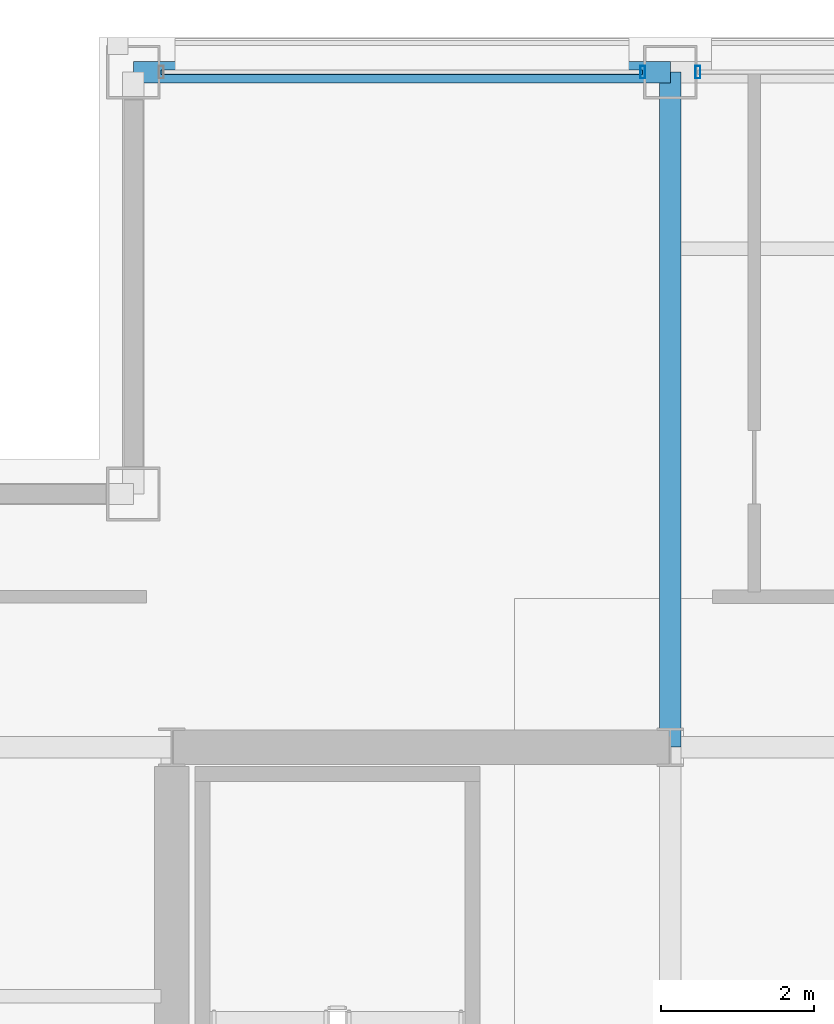
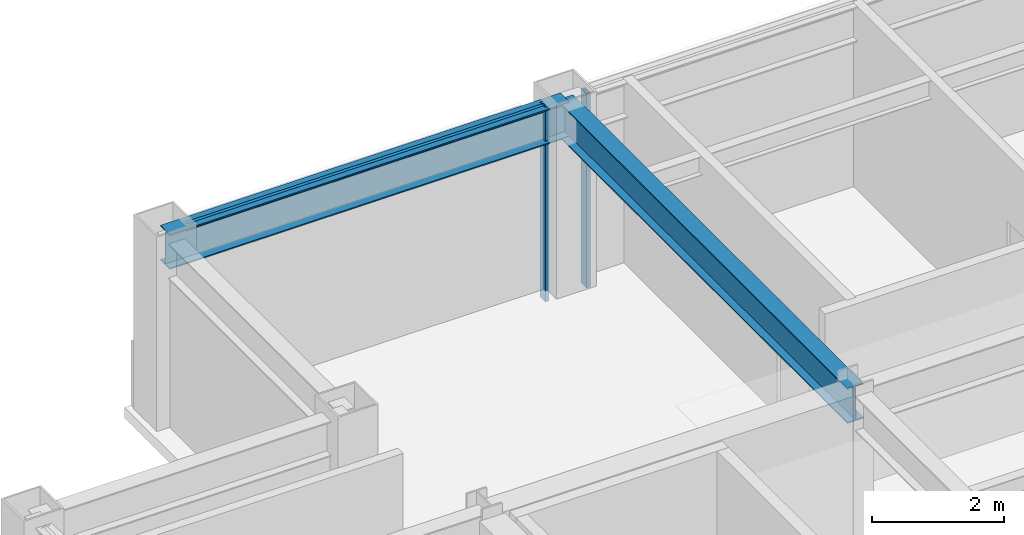
# One storey, part 20 of 30: 3 members, 2 beams, 2 elements without a shape of their own.
"""IFC4 building model written with IfcOpenShell, lengths in metres."""

from ifc_helpers import new_model, si_unit, direction, frame, origin, origin_2d, place, context, subcontext, project, spatial, hollow_rectangle, i_section, extrude, material, layer, layer_set, material_profile, profile_set, type_object, element, aggregate, save


model = new_model("IFC4")

# Units and contexts
model_context = context("Model", 3, precision=1e-05, world=origin(), true_north=direction((0.0, 1.0)))
body_context = subcontext(model_context, "Body", "Model", "MODEL_VIEW")
ifc_project = project(units=[si_unit("LENGTHUNIT", "METRE"), si_unit("AREAUNIT", "SQUARE_METRE"), si_unit("VOLUMEUNIT", "CUBIC_METRE"), si_unit("PLANEANGLEUNIT", "RADIAN"), si_unit("MASSUNIT", "GRAM", prefix="KILO")], contexts=[model_context])

# Site, building, storey
site_placement = place(None, origin())
site = spatial("IfcSite", under=ifc_project, at=site_placement, CompositionType="ELEMENT")
building_placement = place(site_placement, origin())
building = spatial("IfcBuilding", under=site, at=building_placement, Name="Brelmoor Portico Tower", CompositionType="ELEMENT")
storey_placement = place(building_placement, frame((0.0, 0.0, 198.300048828125)))
storey = spatial("IfcBuildingStorey", under=building, at=storey_placement, Name="L52", CompositionType="ELEMENT", Elevation=198.300048828125)

# Beams
ifc_material_1 = material(Name="Steel Q355B", Category="steel")
ifc_material_profile_1 = material_profile(ifc_material_1, i_section(OverallWidth=0.280029296875, OverallDepth=0.64990234375, WebThickness=0.012939453125, FlangeThickness=0.02197265625, at=origin_2d()), Name="HN 650x280x13x22")
ifc_profile_set_1 = profile_set([ifc_material_profile_1], Name="Steel Q355B")
beam_type_1 = type_object("IfcBeamType", Name="BM-PG-650", PredefinedType="BEAM", material=ifc_profile_set_1)
beam_1_placement = place(storey_placement, frame((-8.050048828125, 9.75, 3.074951171875), z_axis=(0.0, 1.0, 0.0), x_axis=(-1.0, 0.0, 0.0)))
element("IfcBeam", 1, at=beam_1_placement, inside=storey, type_object=beam_type_1, Name="L52 Primary Floor Girder PG-05", PredefinedType="BEAM", context=body_context, shape_type="SweptSolid", body=[
    extrude(i_section(OverallWidth=0.280029296875, OverallDepth=0.64990234375, WebThickness=0.012939453125, FlangeThickness=0.02197265625, at=origin_2d()), origin(), (0.0, 0.0, 1.0), 8.800048828125),
])
ifc_material_profile_2 = material_profile(ifc_material_1, i_section(OverallWidth=0.280029296875, OverallDepth=0.64990234375, WebThickness=0.012939453125, FlangeThickness=0.02197265625, at=origin_2d()), Name="HN 650x280x13x22")
ifc_profile_set_2 = profile_set([ifc_material_profile_2], Name="Steel Q355B")
beam_type_2 = type_object("IfcBeamType", Name="BM-SP-650", PredefinedType="SPANDREL", material=ifc_profile_set_2)
beam_2_placement = place(storey_placement, frame((-15.050048828125, 18.550048828125, 3.074951171875), z_axis=(1.0, 0.0, 0.0), x_axis=(0.0, 1.0, 0.0)))
element("IfcBeam", 2, at=beam_2_placement, inside=storey, type_object=beam_type_2, Name="L52 Perimeter Spandrel Beam SP-08", PredefinedType="SPANDREL", context=body_context, shape_type="SweptSolid", body=[
    extrude(i_section(OverallWidth=0.280029296875, OverallDepth=0.64990234375, WebThickness=0.012939453125, FlangeThickness=0.02197265625, at=origin_2d()), origin(), (0.0, 0.0, 1.0), 7.0),
])

# Curtain wall, member
ifc_material_2 = material(Name="Anodised Aluminium Alloy 6063-T6", Category="aluminium")
ifc_layer = layer(ifc_material_2, 0.179931640625)
ifc_layer_set = layer_set([ifc_layer], Name="Anodised Aluminium Alloy 6063-T6")
curtain_wall_type = type_object("IfcCurtainWallType", Name="CW-TOWER-Z3-XB", PredefinedType="NOTDEFINED", material=ifc_layer_set)
curtain_wall_1_placement = place(storey_placement, origin())
curtain_wall_1 = element("IfcCurtainWall", 3, at=curtain_wall_1_placement, inside=storey, type_object=curtain_wall_type, Name="L52 Curtain Wall CW-L52-02-1", PredefinedType="NOTDEFINED")
ifc_material_profile_3 = material_profile(ifc_material_2, hollow_rectangle(XDim=0.06494140625, YDim=0.1650390625, WallThickness=0.00390625, at=origin_2d()), Name="ALU MULLION 65x165")
ifc_profile_set_3 = profile_set([ifc_material_profile_3], Name="Anodised Aluminium Alloy 6063-T6")
member_type_1 = type_object("IfcMemberType", Name="MB-CW-MULL-165", PredefinedType="MULLION", material=ifc_profile_set_3)
member_1_placement = place(storey_placement, frame((-8.409912109375, 18.550048828125, -0.199951171875), z_axis=(0.0, 0.0, 1.0), x_axis=(1.0, 0.0, 0.0)))
member_1 = element("IfcMember", 4, at=member_1_placement, type_object=member_type_1, Name="CW-L52-02-1 Mullion 01", PredefinedType="MULLION", context=body_context, shape_type="SweptSolid", body=[
    extrude(hollow_rectangle(XDim=0.06494140625, YDim=0.1650390625, WallThickness=0.00390625, at=origin_2d()), origin(), (0.0, 0.0, 1.0), 3.599853515625),
])

curtain_wall_2_placement = place(storey_placement, origin())
curtain_wall_2 = element("IfcCurtainWall", 5, at=curtain_wall_2_placement, inside=storey, type_object=curtain_wall_type, Name="L52 Curtain Wall CW-L52-02-2", PredefinedType="NOTDEFINED")
member_2_placement = place(storey_placement, frame((-7.68994140625, 18.550048828125, -0.199951171875), z_axis=(0.0, 0.0, 1.0), x_axis=(1.0, 0.0, 0.0)))
member_2 = element("IfcMember", 6, at=member_2_placement, type_object=member_type_1, Name="CW-L52-02-2 Mullion 00", PredefinedType="MULLION", context=body_context, shape_type="SweptSolid", body=[
    extrude(hollow_rectangle(XDim=0.06494140625, YDim=0.1650390625, WallThickness=0.00390625, at=origin_2d()), origin(), (0.0, 0.0, 1.0), 3.599853515625),
])
aggregate(curtain_wall_2, [member_2])

# Member
ifc_material_profile_4 = material_profile(ifc_material_2, hollow_rectangle(XDim=0.06005859375, YDim=0.125, WallThickness=0.00341796875, at=origin_2d()), Name="ALU TRANSOM 60x125")
ifc_profile_set_4 = profile_set([ifc_material_profile_4], Name="Anodised Aluminium Alloy 6063-T6")
member_type_2 = type_object("IfcMemberType", Name="MB-CW-TRAN-125", PredefinedType="USERDEFINED", material=ifc_profile_set_4)
member_3_placement = place(storey_placement, frame((-14.68994140625, 18.550048828125, 3.33740234375), z_axis=(1.0, 0.0, 0.0), x_axis=(0.0, 1.0, 0.0)))
member_3 = element("IfcMember", 7, at=member_3_placement, type_object=member_type_2, Name="CW-L52-02-1 Transom 1-00", ObjectType="TRANSOM", PredefinedType="USERDEFINED", context=body_context, shape_type="SweptSolid", body=[
    extrude(hollow_rectangle(XDim=0.06005859375, YDim=0.125, WallThickness=0.00341796875, at=origin_2d()), origin(), (0.0, 0.0, 1.0), 6.280029296875),
])

aggregate(curtain_wall_1, [member_1, member_3])

save(model, "model.ifc")
